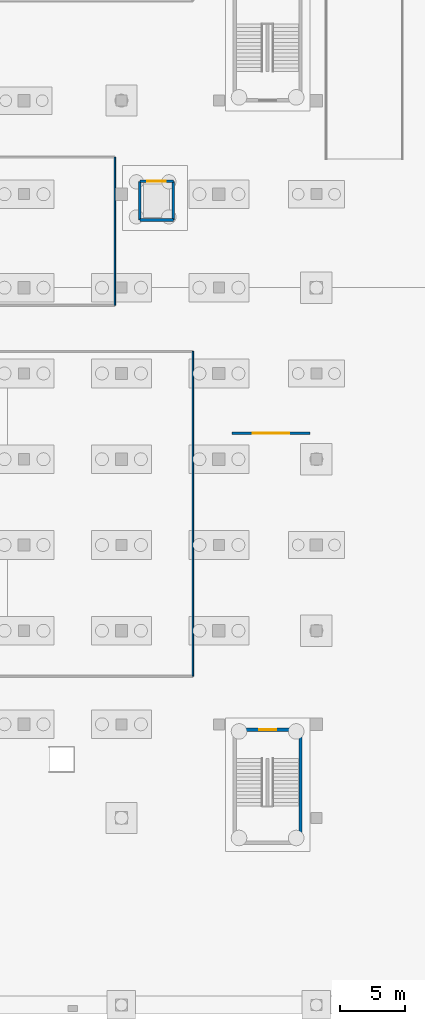
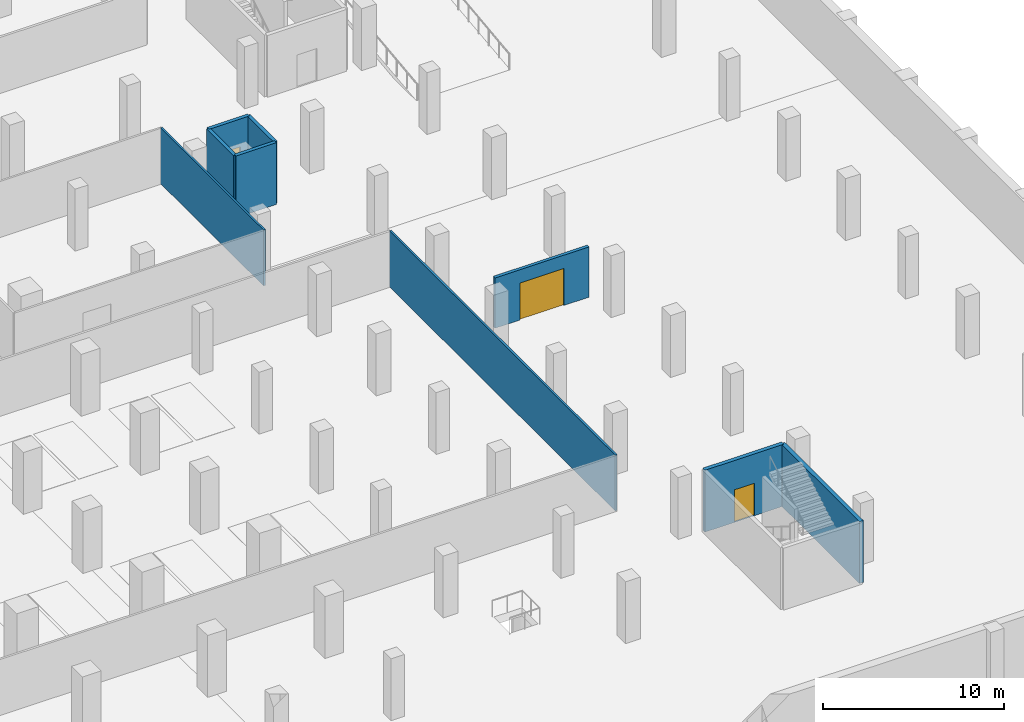
# One storey, part 16 of 26: 9 walls, 3 doors, 3 openings.
"""IFC4 building model written with IfcOpenShell, lengths in metres."""

import ifcopenshell
import ifcopenshell.guid

model = None  # the IFC model being written
_history = None  # IfcOwnerHistory: only IFC2X3 demands one
_inside = {}  # id of a spatial element -> (the spatial element, [elements in it])
_under = {}  # id of a project, library or spatial element -> (it, [spatial elements below it])
_declared = {}  # id of a project -> (the project, [libraries it declares])
_typed = {}  # id of a type object -> (the type object, [elements of that type])
_made_of = {}  # id of a material, layer set ... -> (it, [elements and type objects made of it])


def new_model(schema):
    """Start an empty IFC model of exactly this schema.

    Asked for "IFC4X3", IfcOpenShell would pick the latest addendum, in which some entities
    have other attributes; the version numbers below select the first issue.
    IFC2X3 requires an IfcOwnerHistory on every rooted entity: one is made here for all.
    """
    global model, _history
    if schema == "IFC4X3":
        model = ifcopenshell.file(schema_version=(4, 3, 0, 0))
    else:
        model = ifcopenshell.file(schema=schema)
    _inside.clear()
    _under.clear()
    _declared.clear()
    _typed.clear()
    _made_of.clear()
    _history = None
    if model.schema == "IFC2X3":
        org = make("IfcOrganization", Name="unknown")
        user = make(
            "IfcPersonAndOrganization",
            ThePerson=make("IfcPerson", FamilyName="unknown"),
            TheOrganization=org,
        )
        app = make(
            "IfcApplication",
            ApplicationDeveloper=org,
            Version="unknown",
            ApplicationFullName="unknown",
            ApplicationIdentifier="unknown",
        )
        _history = make(
            "IfcOwnerHistory",
            OwningUser=user,
            OwningApplication=app,
            ChangeAction="ADDED",
            CreationDate=0,
        )
    return model


def make(cls, **values):
    """One entity of the class cls with the attributes given. An attribute that is None is left unset."""
    return model.create_entity(
        cls, **{name: value for name, value in values.items() if value is not None}
    )


def rooted(cls, **values):
    """An entity with a GlobalId (a new one), such as an element, a storey or a relation."""
    return make(cls, GlobalId=ifcopenshell.guid.new(), OwnerHistory=_history, **values)


def si_unit(unit_type, name, prefix=None):
    """IfcSIUnit, for example si_unit("LENGTHUNIT", "METRE", prefix="MILLI")."""
    return make("IfcSIUnit", UnitType=unit_type, Prefix=prefix, Name=name)


def assignment(units):
    """IfcUnitAssignment: the units of a project."""
    return None if units is None else make("IfcUnitAssignment", Units=units)


def point(xyz):
    """IfcCartesianPoint."""
    return None if xyz is None else make("IfcCartesianPoint", Coordinates=xyz)


def direction(xyz):
    """IfcDirection."""
    return None if xyz is None else make("IfcDirection", DirectionRatios=xyz)


def frame(location, z_axis=None, x_axis=None):
    """IfcAxis2Placement3D, a coordinate frame: its origin and axes. An axis left out is left unset."""
    return make(
        "IfcAxis2Placement3D",
        Location=point(location),
        Axis=direction(z_axis),
        RefDirection=direction(x_axis),
    )


def frame_2d(location, x_axis=None):
    """IfcAxis2Placement2D, a coordinate frame in the plane: its origin and x axis."""
    return make(
        "IfcAxis2Placement2D", Location=point(location), RefDirection=direction(x_axis)
    )


def origin():
    """The frame at (0, 0, 0) with its axes left unset."""
    return frame((0.0, 0.0, 0.0))


def place(relative_to, where):
    """IfcLocalPlacement: puts the frame where relative to a parent placement (None: the world)."""
    return make(
        "IfcLocalPlacement", PlacementRelTo=relative_to, RelativePlacement=where
    )


def context(
    kind, dimensions, precision=None, world=None, true_north=None, identifier=None
):
    """IfcGeometricRepresentationContext, for example the 3D "Model" context."""
    return make(
        "IfcGeometricRepresentationContext",
        ContextIdentifier=identifier,
        ContextType=kind,
        CoordinateSpaceDimension=dimensions,
        Precision=precision,
        WorldCoordinateSystem=world,
        TrueNorth=true_north,
    )


def subcontext(parent, identifier, kind, view, scale=None):
    """IfcGeometricRepresentationSubContext, for example "Body" below "Model"."""
    return make(
        "IfcGeometricRepresentationSubContext",
        ContextIdentifier=identifier,
        ContextType=kind,
        ParentContext=parent,
        TargetScale=scale,
        TargetView=view,
    )


def project(units=None, contexts=None):
    """IfcProject with its units and contexts."""
    return rooted(
        "IfcProject",
        Name="project",
        RepresentationContexts=contexts,
        UnitsInContext=assignment(units),
    )


def spatial(cls, under=None, at=None, **own):
    """A site, building, storey or space (cls), placed at a placement, below another one or the project."""
    s = rooted(cls, ObjectPlacement=at, **own)
    if under is not None:
        _under.setdefault(under.id(), (under, []))[1].append(s)
    return s


def profile(cls, at=None, kind="AREA", **sizes):
    """A parametric profile (cls). Its sizes go by their IFC names, for example OverallWidth=200.0."""
    return make(cls, ProfileType=kind, Position=at, **sizes)


def rectangle(**sizes):
    """IfcRectangleProfileDef."""
    return profile("IfcRectangleProfileDef", **sizes)


def extrude(swept, where, along, depth):
    """IfcExtrudedAreaSolid: the profile swept, set in the frame where, extruded along a direction by depth."""
    return make(
        "IfcExtrudedAreaSolid",
        SweptArea=swept,
        Position=where,
        ExtrudedDirection=direction(along),
        Depth=depth,
    )


def shape(context_of_items, identifier, shape_type, items):
    """IfcShapeRepresentation: the items that make up one representation, for example the "Body"."""
    return make(
        "IfcShapeRepresentation",
        ContextOfItems=context_of_items,
        RepresentationIdentifier=identifier,
        RepresentationType=shape_type,
        Items=items,
    )


def material(Name=None, Category=None):
    """IfcMaterial."""
    return make("IfcMaterial", Name=Name, Category=Category)


def layer(
    of_material, thickness, ventilated=None, Name=None, Category=None, Priority=None
):
    """IfcMaterialLayer: one layer of a wall or slab, of a material (None: an air gap)."""
    return make(
        "IfcMaterialLayer",
        Material=of_material,
        LayerThickness=thickness,
        IsVentilated=ventilated,
        Name=Name,
        Category=Category,
        Priority=Priority,
    )


def layer_set(layers, Name=None):
    """IfcMaterialLayerSet."""
    return make("IfcMaterialLayerSet", MaterialLayers=layers, LayerSetName=Name)


def made_of(thing, what):
    """Note that an element or type object is made of a material, layer set ...; save() writes the relation."""
    if what is not None:
        _made_of.setdefault(what.id(), (what, []))[1].append(thing)
    return thing


def type_object(cls, material=None, **own):
    """A type object (cls), such as IfcWallType, which elements share."""
    return made_of(rooted(cls, **own), material)


def element(
    cls,
    number,
    at=None,
    inside=None,
    cuts=None,
    type_object=None,
    material=None,
    context=None,
    identifier="Body",
    shape_type=None,
    held_by="IfcProductDefinitionShape",
    body=None,
    shapes=None,
    **own,
):
    """One element of the class cls, such as IfcWall. Its Tag is "e" and its number.

    at: its placement. inside: the storey or other place that contains it. cuts: it is an
    opening in that element (IfcRelVoidsElement). A single representation is given by context,
    identifier, shape_type and body (its items); several are given by shapes. held_by: the class
    of the entity that holds the representations. save() writes the other relations.
    """
    e = rooted(cls, Tag="e%d" % number, ObjectPlacement=at, **own)
    if body is not None:
        shapes = [shape(context, identifier, shape_type, body)]
    if shapes is not None:
        e.Representation = make(held_by, Representations=shapes)
    if inside is not None:
        _inside.setdefault(inside.id(), (inside, []))[1].append(e)
    if cuts is not None:
        rooted(
            "IfcRelVoidsElement", RelatingBuildingElement=cuts, RelatedOpeningElement=e
        )
    if type_object is not None:
        _typed.setdefault(type_object.id(), (type_object, []))[1].append(e)
    return made_of(e, material)


def fill(opening, filler):
    """IfcRelFillsElement: the door or window that sits in an opening."""
    return rooted(
        "IfcRelFillsElement",
        RelatingOpeningElement=opening,
        RelatedBuildingElement=filler,
    )


def aggregate(whole, parts):
    """IfcRelAggregates: a whole, such as a stair, and the parts it consists of."""
    return rooted("IfcRelAggregates", RelatingObject=whole, RelatedObjects=parts)


def save(model, path):
    """Write the relations noted so far, then the file.

    IfcRelAggregates (storeys below a building ...), IfcRelContainedInSpatialStructure (elements
    in a storey), IfcRelDefinesByType, IfcRelAssociatesMaterial and IfcRelDeclares: one each for
    every whole, place, type object, material and project.
    """
    for whole, parts in _under.values():
        aggregate(whole, parts)
    for where, things in _inside.values():
        rooted(
            "IfcRelContainedInSpatialStructure",
            RelatedElements=things,
            RelatingStructure=where,
        )
    for kind, things in _typed.values():
        rooted("IfcRelDefinesByType", RelatedObjects=things, RelatingType=kind)
    for what, things in _made_of.values():
        rooted("IfcRelAssociatesMaterial", RelatedObjects=things, RelatingMaterial=what)
    for by, libraries in _declared.values():
        rooted("IfcRelDeclares", RelatingContext=by, RelatedDefinitions=libraries)
    model.write(path)


model = new_model("IFC4")

# Units and contexts
model_context = context("Model", 3, precision=1e-05, world=origin(), true_north=direction((0.0, 1.0)))
body_context = subcontext(model_context, "Body", "Model", "MODEL_VIEW")
ifc_project = project(units=[si_unit("LENGTHUNIT", "METRE"), si_unit("AREAUNIT", "SQUARE_METRE"), si_unit("VOLUMEUNIT", "CUBIC_METRE"), si_unit("PLANEANGLEUNIT", "RADIAN"), si_unit("MASSUNIT", "GRAM", prefix="KILO")], contexts=[model_context])

# Site, building, storey
site_placement = place(None, origin())
site = spatial("IfcSite", under=ifc_project, at=site_placement, CompositionType="ELEMENT")
building_placement = place(site_placement, origin())
building = spatial("IfcBuilding", under=site, at=building_placement, Name="Akrevak Sports Hall", CompositionType="ELEMENT")
storey_placement = place(building_placement, frame((0.0, 0.0, -9.0)))
storey = spatial("IfcBuildingStorey", under=building, at=storey_placement, Name="B02", CompositionType="ELEMENT", Elevation=-9.0)

# Walls
ifc_material_1 = material(Name="Standard Metal Stud Partition", Category="gypsum")
ifc_layer_1 = layer(ifc_material_1, 0.1201171875, Name="Standard Metal Stud Partition")
ifc_layer_set_1 = layer_set([ifc_layer_1], Name="Standard Metal Stud Partition")
wall_type_1 = type_object("IfcWallType", Name="ARC-WL-PRT-120", PredefinedType="PARTITIONING", material=ifc_layer_set_1)
wall_1_placement = place(storey_placement, frame((130.0, 53.85009765625, 0.0), z_axis=(0.0, 0.0, 1.0), x_axis=(0.0, 1.0, 0.0)))
element("IfcWall", 1, at=wall_1_placement, inside=storey, type_object=wall_type_1, Name="Interior Partition Athletic Gear & Equipment Storage B02 (E)", PredefinedType="PARTITIONING", context=body_context, shape_type="SweptSolid", body=[
    extrude(rectangle(XDim=11.39990234375, YDim=0.1201171875, at=frame_2d((5.699951171875, 0.0))), origin(), (0.0, 0.0, 1.0), 3.780029296875),
])
ifc_material_2 = material(Name="Acoustic Metal Stud Partition", Category="gypsum")
ifc_layer_2 = layer(ifc_material_2, 0.1298828125, Name="Acoustic Metal Stud Partition")
ifc_layer_set_2 = layer_set([ifc_layer_2], Name="Acoustic Metal Stud Partition")
wall_type_2 = type_object("IfcWallType", Name="ARC-WL-PRT-130", PredefinedType="PARTITIONING", material=ifc_layer_set_2)
wall_2_placement = place(storey_placement, frame((136.0, 25.300048828125, 0.0), z_axis=(0.0, 0.0, 1.0), x_axis=(0.0, 1.0, 0.0)))
element("IfcWall", 2, at=wall_2_placement, inside=storey, type_object=wall_type_2, Name="Interior Partition Underground Car Park Hall South B02 (E)", PredefinedType="PARTITIONING", context=body_context, shape_type="SweptSolid", body=[
    extrude(rectangle(XDim=25.0, YDim=0.1298828125, at=frame_2d((12.5, 0.0))), origin(), (0.0, 0.0, 1.0), 3.780029296875),
])

# Wall, opening, door
ifc_material_3 = material(Name="Autoclaved Aerated Masonry Block", Category="masonry")
ifc_layer_3 = layer(ifc_material_3, 0.199951171875, Name="Autoclaved Aerated Masonry Block")
ifc_layer_set_3 = layer_set([ifc_layer_3], Name="Autoclaved Aerated Masonry Block")
wall_type_3 = type_object("IfcWallType", Name="ARC-WL-PRT-200", PredefinedType="PARTITIONING", material=ifc_layer_set_3)
wall_3_placement = place(storey_placement, frame((139.0, 44.0, 0.0), z_axis=(0.0, 0.0, 1.0), x_axis=(1.0, 0.0, 0.0)))
wall_3 = element("IfcWall", 3, at=wall_3_placement, inside=storey, type_object=wall_type_3, Name="Service Bay Wall B02-1", PredefinedType="PARTITIONING", context=body_context, shape_type="SweptSolid", body=[
    extrude(rectangle(XDim=6.0, YDim=0.199951171875, at=frame_2d((3.0, 0.0))), origin(), (0.0, 0.0, 1.0), 3.39990234375),
])
opening_1_placement = place(wall_3_placement, frame((1.60009765625, 0.0, 0.0)))
opening_1 = element("IfcOpeningElement", 4, at=opening_1_placement, cuts=wall_3, Name="Opening GT-03", PredefinedType="OPENING", context=body_context, shape_type="SweptSolid", body=[
    extrude(rectangle(XDim=2.800048828125, YDim=2.5, at=frame_2d((1.39990234375, 1.25))), frame((0.0, 0.11181640625, 0.0), z_axis=(0.0, -1.0, 0.0), x_axis=(1.0, 0.0, 0.0)), (0.0, 0.0, 1.0), 0.223876953125),
])
ifc_material_4 = material(Name="Galvanized Roller Shutter Steel", Category="steel")
door_type_1 = type_object("IfcDoorType", Name="ARC-DR-SRV-280x250", OperationType="ROLLINGUP", PredefinedType="GATE", material=ifc_material_4)
door_1_placement = place(opening_1_placement, origin())
door_1 = element("IfcDoor", 5, at=door_1_placement, inside=storey, type_object=door_type_1, Name="B02 Equipment Bay Roller Gate GT-05", OperationType="ROLLINGUP", OverallHeight=2.5, OverallWidth=2.800048828125, PredefinedType="GATE", context=body_context, shape_type="SweptSolid", body=[
    extrude(rectangle(XDim=2.800048828125, YDim=2.5, at=frame_2d((1.39990234375, 1.25))), frame((0.0, 0.02490234375, 0.0), z_axis=(0.0, -1.0, 0.0), x_axis=(1.0, 0.0, 0.0)), (0.0, 0.0, 1.0), 0.050048828125),
])
fill(opening_1, door_1)

# Wall
ifc_material_5 = material(Name="Concrete C50/60", Category="concrete")
ifc_layer_4 = layer(ifc_material_5, 0.219970703125, Name="Concrete C50/60")
ifc_layer_set_4 = layer_set([ifc_layer_4], Name="Concrete C50/60")
wall_type_4 = type_object("IfcWallType", Name="ARC-WL-SHAFT-220", PredefinedType="SHEAR", material=ifc_layer_set_4)
wall_4_placement = place(storey_placement, frame((131.909912109375, 60.409912109375, 0.0), z_axis=(0.0, 0.0, 1.0), x_axis=(1.0, 0.0, 0.0)))
element("IfcWall", 6, at=wall_4_placement, inside=storey, type_object=wall_type_4, Name="Lift Shaft LF-S1 Wall S (B02)", PredefinedType="SHEAR", context=body_context, shape_type="SweptSolid", body=[
    extrude(rectangle(XDim=2.580078125, YDim=0.219970703125, at=frame_2d((1.2900390625, 0.0))), origin(), (0.0, 0.0, 1.0), 4.179931640625),
])

# Wall, opening, door
wall_5_placement = place(storey_placement, frame((134.489990234375, 63.389892578125, 0.0), z_axis=(0.0, 0.0, 1.0), x_axis=(-1.0, 0.0, 0.0)))
wall_5 = element("IfcWall", 7, at=wall_5_placement, inside=storey, type_object=wall_type_4, Name="Lift Shaft LF-S1 Wall N (B02)", PredefinedType="SHEAR", context=body_context, shape_type="SweptSolid", body=[
    extrude(rectangle(XDim=2.580078125, YDim=0.219970703125, at=frame_2d((1.2900390625, 0.0))), origin(), (0.0, 0.0, 1.0), 4.179931640625),
])
opening_2_placement = place(wall_5_placement, frame((0.590087890625, 0.0, 0.0)))
opening_2 = element("IfcOpeningElement", 8, at=opening_2_placement, cuts=wall_5, Name="Opening LD-03", PredefinedType="OPENING", context=body_context, shape_type="SweptSolid", body=[
    extrude(rectangle(XDim=1.39990234375, YDim=2.300048828125, at=frame_2d((0.699951171875, 1.14990234375))), frame((0.0, 0.1220703125, 0.0), z_axis=(0.0, -1.0, 0.0), x_axis=(1.0, 0.0, 0.0)), (0.0, 0.0, 1.0), 0.243896484375),
])
ifc_material_6 = material(Name="Brushed Stainless Steel 304", Category="steel")
door_type_2 = type_object("IfcDoorType", Name="ARC-DR-LD-140x230", OperationType="SLIDING_TO_LEFT", PredefinedType="DOOR", material=ifc_material_6)
door_2_placement = place(opening_2_placement, origin())
door_2 = element("IfcDoor", 9, at=door_2_placement, inside=storey, type_object=door_type_2, Name="Lift LF-S1 Sliding Landing Door (B02)", OperationType="SLIDING_TO_LEFT", OverallHeight=2.300048828125, OverallWidth=1.39990234375, PredefinedType="DOOR", context=body_context, shape_type="SweptSolid", body=[
    extrude(rectangle(XDim=1.39990234375, YDim=2.300048828125, at=frame_2d((0.699951171875, 1.14990234375))), frame((0.0, 0.02490234375, 0.0), z_axis=(0.0, -1.0, 0.0), x_axis=(1.0, 0.0, 0.0)), (0.0, 0.0, 1.0), 0.050048828125),
])
fill(opening_2, door_2)

# Walls
for number, where, z_axis, x_axis, name in (
    (10, (131.909912109375, 63.389892578125, 0.0), (0.0, 0.0, 1.0), (0.0, -1.0, 0.0), "Lift Shaft LF-S1 Wall W (B02)"),
    (11, (134.489990234375, 60.409912109375, 0.0), (0.0, 0.0, 1.0), (0.0, 1.0, 0.0), "Lift Shaft LF-S1 Wall E (B02)"),
):
    element("IfcWall", number, at=place(storey_placement, frame(where, z_axis=z_axis, x_axis=x_axis)), inside=storey, type_object=wall_type_4, Name=name, PredefinedType="SHEAR", context=body_context, shape_type="SweptSolid", body=[
        extrude(rectangle(XDim=2.97998046875, YDim=0.219970703125, at=frame_2d((1.489990234375, 0.0))), origin(), (0.0, 0.0, 1.0), 4.179931640625),
    ])

# Wall, opening, door
ifc_layer_5 = layer(ifc_material_5, 0.25, Name="Concrete C50/60")
ifc_layer_set_5 = layer_set([ifc_layer_5], Name="Concrete C50/60")
wall_type_5 = type_object("IfcWallType", Name="STR-WL-STAIR-250", PredefinedType="SHEAR", material=ifc_layer_set_5)
wall_6_placement = place(storey_placement, frame((144.27490234375, 21.175048828125, 0.0), z_axis=(0.0, 0.0, 1.0), x_axis=(-1.0, 0.0, 0.0)))
wall_6 = element("IfcWall", 12, at=wall_6_placement, inside=storey, type_object=wall_type_5, Name="Stair Core ST7 Shear Wall N (B02)", PredefinedType="SHEAR", context=body_context, shape_type="SweptSolid", body=[
    extrude(rectangle(XDim=5.0498046875, YDim=0.25, at=frame_2d((2.52490234375, 0.0))), origin(), (0.0, 0.0, 1.0), 4.179931640625),
])
opening_3_placement = place(wall_6_placement, frame((1.875, 0.0, 0.0)))
opening_3 = element("IfcOpeningElement", 13, at=opening_3_placement, cuts=wall_6, Name="Opening SD-01", PredefinedType="OPENING", context=body_context, shape_type="SweptSolid", body=[
    extrude(rectangle(XDim=1.300048828125, YDim=2.199951171875, at=frame_2d((0.64990234375, 1.10009765625))), frame((0.0, 0.136962890625, 0.0), z_axis=(0.0, -1.0, 0.0), x_axis=(1.0, 0.0, 0.0)), (0.0, 0.0, 1.0), 0.27392578125),
])
ifc_material_7 = material(Name="Fire-Rated Galvanized Door Steel", Category="steel")
door_type_3 = type_object("IfcDoorType", Name="ARC-DR-STAIR-130x220", OperationType="NOTDEFINED", PredefinedType="DOOR", material=ifc_material_7)
door_3_placement = place(opening_3_placement, origin())
door_3 = element("IfcDoor", 14, at=door_3_placement, inside=storey, type_object=door_type_3, Name="Exit Stair ST7 Door (B02)", OperationType="SINGLE_SWING_RIGHT", OverallHeight=2.199951171875, OverallWidth=1.300048828125, PredefinedType="DOOR", context=body_context, shape_type="SweptSolid", body=[
    extrude(rectangle(XDim=1.300048828125, YDim=2.199951171875, at=frame_2d((0.64990234375, 1.10009765625))), frame((0.0, 0.02490234375, 0.0), z_axis=(0.0, -1.0, 0.0), x_axis=(1.0, 0.0, 0.0)), (0.0, 0.0, 1.0), 0.050048828125),
])
fill(opening_3, door_3)

# Wall
wall_7_placement = place(storey_placement, frame((144.27490234375, 12.47509765625, 0.0), z_axis=(0.0, 0.0, 1.0), x_axis=(0.0, 1.0, 0.0)))
element("IfcWall", 15, at=wall_7_placement, inside=storey, type_object=wall_type_5, Name="Stair Core ST7 Shear Wall E (B02)", PredefinedType="SHEAR", context=body_context, shape_type="SweptSolid", body=[
    extrude(rectangle(XDim=8.699951171875, YDim=0.25, at=frame_2d((4.35009765625, 0.0))), origin(), (0.0, 0.0, 1.0), 4.179931640625),
])

save(model, "model.ifc")
